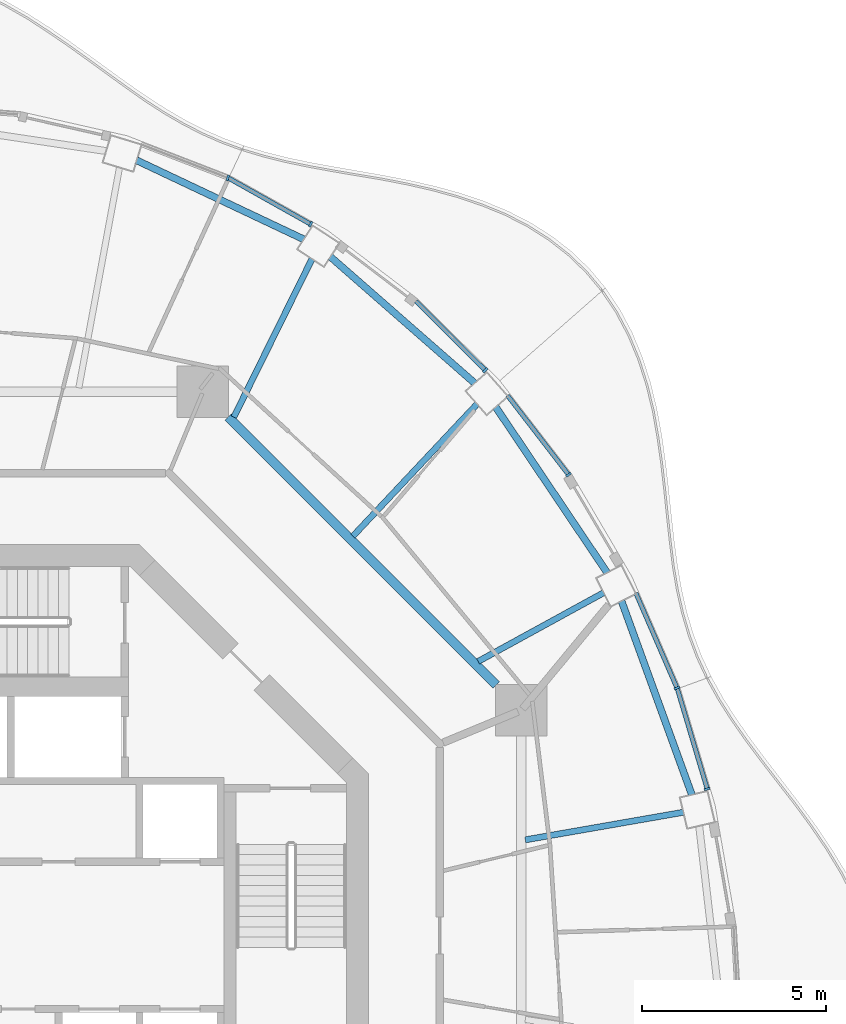
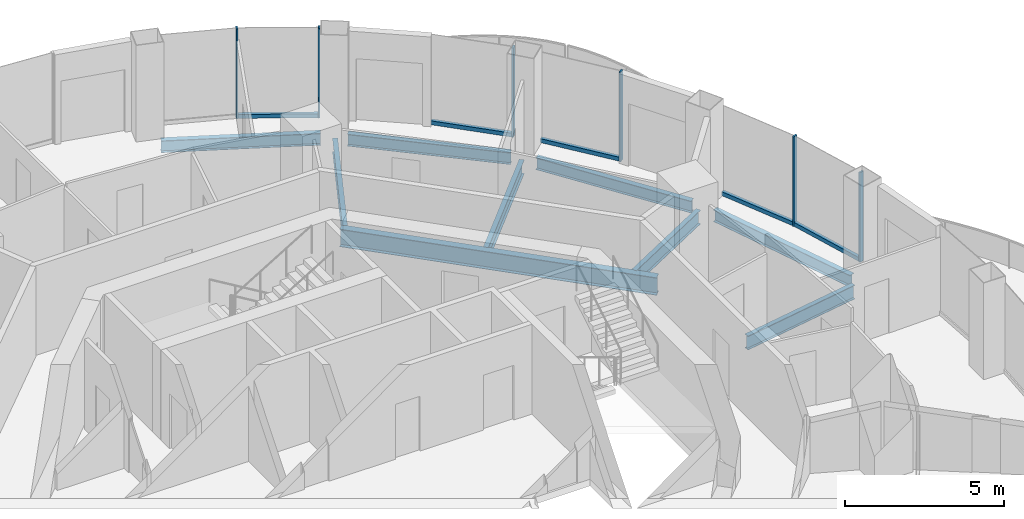
# One storey, part 7 of 17: 11 members, 9 beams, 6 elements without a shape of their own.
"""IFC4 building model written with IfcOpenShell, lengths in metres."""

from ifc_helpers import new_model, si_unit, direction, frame, origin, origin_2d, place, context, subcontext, project, spatial, rectangle, i_section, extrude, material, layer, layer_set, material_profile, profile_set, type_object, element, aggregate, save


model = new_model("IFC4")

# Units and contexts
model_context = context("Model", 3, precision=1e-05, world=origin(), true_north=direction((0.0, 1.0)))
body_context = subcontext(model_context, "Body", "Model", "MODEL_VIEW")
ifc_project = project(units=[si_unit("LENGTHUNIT", "METRE"), si_unit("AREAUNIT", "SQUARE_METRE"), si_unit("VOLUMEUNIT", "CUBIC_METRE"), si_unit("PLANEANGLEUNIT", "RADIAN"), si_unit("MASSUNIT", "GRAM", prefix="KILO")], contexts=[model_context])

# Site, building, storey
site_placement = place(None, origin())
site = spatial("IfcSite", under=ifc_project, at=site_placement, CompositionType="ELEMENT")
building_placement = place(site_placement, origin())
building = spatial("IfcBuilding", under=site, at=building_placement, Name="Nagisa Residences", CompositionType="ELEMENT")
storey_placement = place(building_placement, frame((0.0, 0.0, 277.0)))
storey = spatial("IfcBuildingStorey", under=building, at=storey_placement, Name="L70", CompositionType="ELEMENT", Elevation=277.0)

# Curtain wall, member
ifc_material_1 = material(Name="Concrete-coloured aluminium curtain wall system", Category="concrete")
ifc_layer = layer(ifc_material_1, 0.159912109375)
ifc_layer_set = layer_set([ifc_layer], Name="CW1 CURTAIN WALL")
curtain_wall_type = type_object("IfcCurtainWallType", Name="CW1 CURTAIN WALL", PredefinedType="NOTDEFINED", material=ifc_layer_set)
curtain_wall_1_placement = place(storey_placement, origin())
curtain_wall_1 = element("IfcCurtainWall", 1, at=curtain_wall_1_placement, inside=storey, type_object=curtain_wall_type, Name="cw:CW1:L70:02", PredefinedType="NOTDEFINED")
ifc_material_2 = material(Name="Concrete-coloured aluminium", Category="concrete")
ifc_material_profile_1 = material_profile(ifc_material_2, rectangle(XDim=0.159912109375, YDim=0.06005859375, at=origin_2d()), Name="CW1 MULLION 160x60")
ifc_profile_set_1 = profile_set([ifc_material_profile_1], Name="Concrete-coloured aluminium")
member_type_1 = type_object("IfcMemberType", Name="CW1 MULLION 160x60", PredefinedType="MULLION", material=ifc_profile_set_1)
member_1_placement = place(storey_placement, frame((19.83544921875, 3.9814453125, 0.0), z_axis=(0.0, 0.0, 1.0), x_axis=(-0.958271310082, -0.285860274038, 0.0)))
member_1 = element("IfcMember", 2, at=member_1_placement, type_object=member_type_1, Name="CW1 mullion", PredefinedType="MULLION", context=body_context, shape_type="SweptSolid", body=[
    extrude(rectangle(XDim=0.159912109375, YDim=0.06005859375, at=origin_2d()), origin(), (0.0, 0.0, 1.0), 3.43994140625),
])

curtain_wall_2_placement = place(storey_placement, origin())
curtain_wall_2 = element("IfcCurtainWall", 3, at=curtain_wall_2_placement, inside=storey, type_object=curtain_wall_type, Name="cw:CW1:L70:03", PredefinedType="NOTDEFINED")
member_2_placement = place(storey_placement, frame((19.012939453125, 6.728271484375, 0.0), z_axis=(0.0, 0.0, 1.0), x_axis=(-0.917543276295, -0.397635934147, 0.0)))
member_2 = element("IfcMember", 4, at=member_2_placement, type_object=member_type_1, Name="CW1 mullion", PredefinedType="MULLION", context=body_context, shape_type="SweptSolid", body=[
    extrude(rectangle(XDim=0.159912109375, YDim=0.06005859375, at=origin_2d()), origin(), (0.0, 0.0, 1.0), 3.43994140625),
])

curtain_wall_3_placement = place(storey_placement, origin())
curtain_wall_3 = element("IfcCurtainWall", 5, at=curtain_wall_3_placement, inside=storey, type_object=curtain_wall_type, Name="cw:CW1:L70:05", PredefinedType="NOTDEFINED")
member_3_placement = place(storey_placement, frame((16.06396484375, 12.52685546875, 0.0), z_axis=(0.0, 0.0, 1.0), x_axis=(-0.792070340816, -0.610429828235, 0.0)))
member_3 = element("IfcMember", 6, at=member_3_placement, type_object=member_type_1, Name="CW1 mullion", PredefinedType="MULLION", context=body_context, shape_type="SweptSolid", body=[
    extrude(rectangle(XDim=0.159912109375, YDim=0.06005859375, at=origin_2d()), origin(), (0.0, 0.0, 1.0), 3.43994140625),
])

curtain_wall_4_placement = place(storey_placement, origin())
curtain_wall_4 = element("IfcCurtainWall", 7, at=curtain_wall_4_placement, inside=storey, type_object=curtain_wall_type, Name="cw:CW1:L70:06", PredefinedType="NOTDEFINED")
member_4_placement = place(storey_placement, frame((13.798583984375, 15.36572265625, 0.0), z_axis=(0.0, 0.0, 1.0), x_axis=(-0.706376885714, -0.707835924016, 0.0)))
member_4 = element("IfcMember", 8, at=member_4_placement, type_object=member_type_1, Name="CW1 mullion", PredefinedType="MULLION", context=body_context, shape_type="SweptSolid", body=[
    extrude(rectangle(XDim=0.159912109375, YDim=0.06005859375, at=origin_2d()), origin(), (0.0, 0.0, 1.0), 3.43994140625),
])

curtain_wall_5_placement = place(storey_placement, origin())
curtain_wall_5 = element("IfcCurtainWall", 9, at=curtain_wall_5_placement, inside=storey, type_object=curtain_wall_type, Name="cw:CW1:L70:08", PredefinedType="NOTDEFINED")
member_5_placement = place(storey_placement, frame((9.05224609375, 19.3388671875, 0.0), z_axis=(0.0, 0.0, 1.0), x_axis=(-0.489376918501, -0.872072377523, 0.0)))
member_5 = element("IfcMember", 10, at=member_5_placement, type_object=member_type_1, Name="CW1 mullion", PredefinedType="MULLION", context=body_context, shape_type="SweptSolid", body=[
    extrude(rectangle(XDim=0.159912109375, YDim=0.06005859375, at=origin_2d()), origin(), (0.0, 0.0, 1.0), 3.43994140625),
])

curtain_wall_6_placement = place(storey_placement, origin())
curtain_wall_6 = element("IfcCurtainWall", 11, at=curtain_wall_6_placement, inside=storey, type_object=curtain_wall_type, Name="cw:CW1:L70:09", PredefinedType="NOTDEFINED")
member_6_placement = place(storey_placement, frame((6.799560546875, 20.59912109375, 0.0), z_axis=(0.0, 0.0, 1.0), x_axis=(-0.360327770268, -0.932825759707, 0.0)))
member_6 = element("IfcMember", 12, at=member_6_placement, type_object=member_type_1, Name="CW1 mullion", PredefinedType="MULLION", context=body_context, shape_type="SweptSolid", body=[
    extrude(rectangle(XDim=0.159912109375, YDim=0.06005859375, at=origin_2d()), origin(), (0.0, 0.0, 1.0), 3.43994140625),
])
aggregate(curtain_wall_6, [member_6])

# Member
ifc_material_3 = material(Name="Concrete-coloured aluminium", Category="concrete")
ifc_material_profile_2 = material_profile(ifc_material_3, rectangle(XDim=0.1201171875, YDim=0.14990234375, at=origin_2d()), Name="CW1 TRANSOM 120x150")
ifc_profile_set_2 = profile_set([ifc_material_profile_2], Name="Concrete-coloured aluminium")
member_type_2 = type_object("IfcMemberType", Name="CW1 TRANSOM 120x150", PredefinedType="USERDEFINED", material=ifc_profile_set_2)
member_7_placement = place(storey_placement, frame((19.843994140625, 3.95263671875, 0.074951171875), z_axis=(-0.285876209024, 0.9582665564, 0.0), x_axis=(-0.9582665564, -0.285876209024, 0.0)))
member_7 = element("IfcMember", 13, at=member_7_placement, type_object=member_type_2, Name="CW1 transom", ObjectType="TRANSOM", PredefinedType="USERDEFINED", context=body_context, shape_type="SweptSolid", body=[
    extrude(rectangle(XDim=0.1201171875, YDim=0.14990234375, at=origin_2d()), origin(), (0.0, 0.0, 1.0), 2.877197265625),
])

aggregate(curtain_wall_1, [member_1, member_7])

member_8_placement = place(storey_placement, frame((19.024658203125, 6.70068359375, 0.074951171875), z_axis=(-0.397597791596, 0.9175598052, 0.0), x_axis=(-0.9175598052, -0.397597791596, 0.0)))
member_8 = element("IfcMember", 14, at=member_8_placement, type_object=member_type_2, Name="CW1 transom", ObjectType="TRANSOM", PredefinedType="USERDEFINED", context=body_context, shape_type="SweptSolid", body=[
    extrude(rectangle(XDim=0.1201171875, YDim=0.14990234375, at=origin_2d()), origin(), (0.0, 0.0, 1.0), 2.841064453125),
])

aggregate(curtain_wall_2, [member_2, member_8])

member_9_placement = place(storey_placement, frame((16.082275390625, 12.5029296875, 0.074951171875), z_axis=(-0.610432336622, 0.792068407656, 0.0), x_axis=(-0.792068407656, -0.610432336622, 0.0)))
member_9 = element("IfcMember", 15, at=member_9_placement, type_object=member_type_2, Name="CW1 transom", ObjectType="TRANSOM", PredefinedType="USERDEFINED", context=body_context, shape_type="SweptSolid", body=[
    extrude(rectangle(XDim=0.1201171875, YDim=0.14990234375, at=origin_2d()), origin(), (0.0, 0.0, 1.0), 2.74609375),
])

aggregate(curtain_wall_3, [member_3, member_9])

member_10_placement = place(storey_placement, frame((13.81982421875, 15.344482421875, 0.074951171875), z_axis=(-0.707876975297, 0.706335747251, 0.0), x_axis=(-0.706335747251, -0.707876975297, 0.0)))
member_10 = element("IfcMember", 16, at=member_10_placement, type_object=member_type_2, Name="CW1 transom", ObjectType="TRANSOM", PredefinedType="USERDEFINED", context=body_context, shape_type="SweptSolid", body=[
    extrude(rectangle(XDim=0.1201171875, YDim=0.14990234375, at=origin_2d()), origin(), (0.0, 0.0, 1.0), 2.69287109375),
])

aggregate(curtain_wall_4, [member_4, member_10])

member_11_placement = place(storey_placement, frame((9.078369140625, 19.32421875, 0.074951171875), z_axis=(-0.872052877201, 0.489411666561, 0.0), x_axis=(-0.489411666561, -0.872052877201, 0.0)))
member_11 = element("IfcMember", 17, at=member_11_placement, type_object=member_type_2, Name="CW1 transom", ObjectType="TRANSOM", PredefinedType="USERDEFINED", context=body_context, shape_type="SweptSolid", body=[
    extrude(rectangle(XDim=0.1201171875, YDim=0.14990234375, at=origin_2d()), origin(), (0.0, 0.0, 1.0), 2.593017578125),
])

aggregate(curtain_wall_5, [member_5, member_11])

# Beams
ifc_material_4 = material(Name="Steel ASTM A572 Gr 50", Category="steel")
ifc_material_profile_3 = material_profile(ifc_material_4, i_section(OverallWidth=0.2529296875, OverallDepth=0.677978515625, WebThickness=0.01171875, FlangeThickness=0.016357421875, at=origin_2d()), Name="W690x125")
ifc_profile_set_3 = profile_set([ifc_material_profile_3], Name="Steel ASTM A572 Gr 50")
beam_type_1 = type_object("IfcBeamType", Name="Inner ring beam W690x125", PredefinedType="BEAM", material=ifc_profile_set_3)
beam_1_placement = place(storey_placement, frame((14.09619140625, 6.808837890625, -0.59912109375), z_axis=(-0.707106781187, 0.707106781187, 0.0), x_axis=(-0.707106781187, -0.707106781187, 0.0)))
element("IfcBeam", 18, at=beam_1_placement, inside=storey, type_object=beam_type_1, Name="beam:L70:ib1", PredefinedType="BEAM", context=body_context, shape_type="SweptSolid", body=[
    extrude(i_section(OverallWidth=0.2529296875, OverallDepth=0.677978515625, WebThickness=0.01171875, FlangeThickness=0.016357421875, at=origin_2d()), origin(), (0.0, 0.0, 1.0), 10.305908203125),
])
ifc_material_5 = material(Name="Steel ASTM A572 Gr 50", Category="steel")
ifc_material_profile_4 = material_profile(ifc_material_5, i_section(OverallWidth=0.18994140625, OverallDepth=0.45703125, WebThickness=0.009033203125, FlangeThickness=0.014404296875, at=origin_2d()), Name="W460x74")
ifc_profile_set_4 = profile_set([ifc_material_profile_4], Name="Steel ASTM A572 Gr 50")
beam_type_2 = type_object("IfcBeamType", Name="Perimeter ring beam W460x74", PredefinedType="BEAM", material=ifc_profile_set_4)
beam_2_placement = place(storey_placement, frame((19.41845703125, 3.822021484375, -0.488525390625), z_axis=(-0.341211850477, 0.93998642176, 0.0), x_axis=(-0.93998642176, -0.341211850477, 0.0)))
element("IfcBeam", 19, at=beam_2_placement, inside=storey, type_object=beam_type_2, Name="beam:L70:pb02", PredefinedType="BEAM", context=body_context, shape_type="SweptSolid", body=[
    extrude(i_section(OverallWidth=0.18994140625, OverallDepth=0.45703125, WebThickness=0.009033203125, FlangeThickness=0.014404296875, at=origin_2d()), origin(), (0.0, 0.0, 1.0), 5.609619140625),
])
beam_3_placement = place(storey_placement, frame((17.11474609375, 9.862060546875, -0.488525390625), z_axis=(-0.558066424866, 0.829796279479, 0.0), x_axis=(-0.829796279479, -0.558066424866, 0.0)))
element("IfcBeam", 20, at=beam_3_placement, inside=storey, type_object=beam_type_2, Name="beam:L70:pb03", PredefinedType="BEAM", context=body_context, shape_type="SweptSolid", body=[
    extrude(i_section(OverallWidth=0.18994140625, OverallDepth=0.45703125, WebThickness=0.009033203125, FlangeThickness=0.014404296875, at=origin_2d()), origin(), (0.0, 0.0, 1.0), 5.43212890625),
])
beam_4_placement = place(storey_placement, frame((13.514892578125, 15.015380859375, -0.488525390625), z_axis=(-0.752385480596, 0.658723074279, 0.0), x_axis=(-0.658723074279, -0.752385480596, 0.0)))
element("IfcBeam", 21, at=beam_4_placement, inside=storey, type_object=beam_type_2, Name="beam:L70:pb04", PredefinedType="BEAM", context=body_context, shape_type="SweptSolid", body=[
    extrude(i_section(OverallWidth=0.18994140625, OverallDepth=0.45703125, WebThickness=0.009033203125, FlangeThickness=0.014404296875, at=origin_2d()), origin(), (0.0, 0.0, 1.0), 5.220947265625),
])
beam_5_placement = place(storey_placement, frame((8.8671875, 18.926513671875, -0.488525390625), z_axis=(-0.904115893837, 0.427287316113, 0.0), x_axis=(-0.427287316113, -0.904115893837, 0.0)))
element("IfcBeam", 22, at=beam_5_placement, inside=storey, type_object=beam_type_2, Name="beam:L70:pb05", PredefinedType="BEAM", context=body_context, shape_type="SweptSolid", body=[
    extrude(i_section(OverallWidth=0.18994140625, OverallDepth=0.45703125, WebThickness=0.009033203125, FlangeThickness=0.014404296875, at=origin_2d()), origin(), (0.0, 0.0, 1.0), 5.031494140625),
])
ifc_material_6 = material(Name="Steel ASTM A572 Gr 50", Category="steel")
ifc_material_profile_5 = material_profile(ifc_material_6, i_section(OverallWidth=0.166015625, OverallDepth=0.534912109375, WebThickness=0.01025390625, FlangeThickness=0.0166015625, at=origin_2d()), Name="W530x85")
ifc_profile_set_5 = profile_set([ifc_material_profile_5], Name="Steel ASTM A572 Gr 50")
beam_type_3 = type_object("IfcBeamType", Name="Radial beam W530x85", PredefinedType="BEAM", material=ifc_profile_set_5)
beam_6_placement = place(storey_placement, frame((19.191162109375, 3.349365234375, -0.527587890625), z_axis=(-0.985114356534, -0.171900275017, 0.0), x_axis=(0.171900275017, -0.985114356534, 0.0)))
element("IfcBeam", 23, at=beam_6_placement, inside=storey, type_object=beam_type_3, Name="beam:L70:rb02", PredefinedType="BEAM", context=body_context, shape_type="SweptSolid", body=[
    extrude(i_section(OverallWidth=0.166015625, OverallDepth=0.534912109375, WebThickness=0.01025390625, FlangeThickness=0.0166015625, at=origin_2d()), origin(), (0.0, 0.0, 1.0), 4.3671875),
])
beam_7_placement = place(storey_placement, frame((17.02294921875, 9.31982421875, -0.527587890625), z_axis=(-0.877142169669, -0.480230792628, 0.0), x_axis=(0.480230792628, -0.877142169669, 0.0)))
element("IfcBeam", 24, at=beam_7_placement, inside=storey, type_object=beam_type_3, Name="beam:L70:rb03", PredefinedType="BEAM", context=body_context, shape_type="SweptSolid", body=[
    extrude(i_section(OverallWidth=0.166015625, OverallDepth=0.534912109375, WebThickness=0.01025390625, FlangeThickness=0.0166015625, at=origin_2d()), origin(), (0.0, 0.0, 1.0), 3.894287109375),
])
beam_8_placement = place(storey_placement, frame((13.579833984375, 14.451416015625, -0.527587890625), z_axis=(-0.684799688268, -0.728731354442, 0.0), x_axis=(0.728731354442, -0.684799688268, 0.0)))
element("IfcBeam", 25, at=beam_8_placement, inside=storey, type_object=beam_type_3, Name="beam:L70:rb04", PredefinedType="BEAM", context=body_context, shape_type="SweptSolid", body=[
    extrude(i_section(OverallWidth=0.166015625, OverallDepth=0.534912109375, WebThickness=0.01025390625, FlangeThickness=0.0166015625, at=origin_2d()), origin(), (0.0, 0.0, 1.0), 4.934814453125),
])
beam_9_placement = place(storey_placement, frame((9.09033203125, 18.3974609375, -0.527587890625), z_axis=(-0.442997846128, -0.896522675857, 0.0), x_axis=(0.896522675857, -0.442997846128, 0.0)))
element("IfcBeam", 26, at=beam_9_placement, inside=storey, type_object=beam_type_3, Name="beam:L70:rb05", PredefinedType="BEAM", context=body_context, shape_type="SweptSolid", body=[
    extrude(i_section(OverallWidth=0.166015625, OverallDepth=0.534912109375, WebThickness=0.01025390625, FlangeThickness=0.0166015625, at=origin_2d()), origin(), (0.0, 0.0, 1.0), 4.80078125),
])

save(model, "model.ifc")
